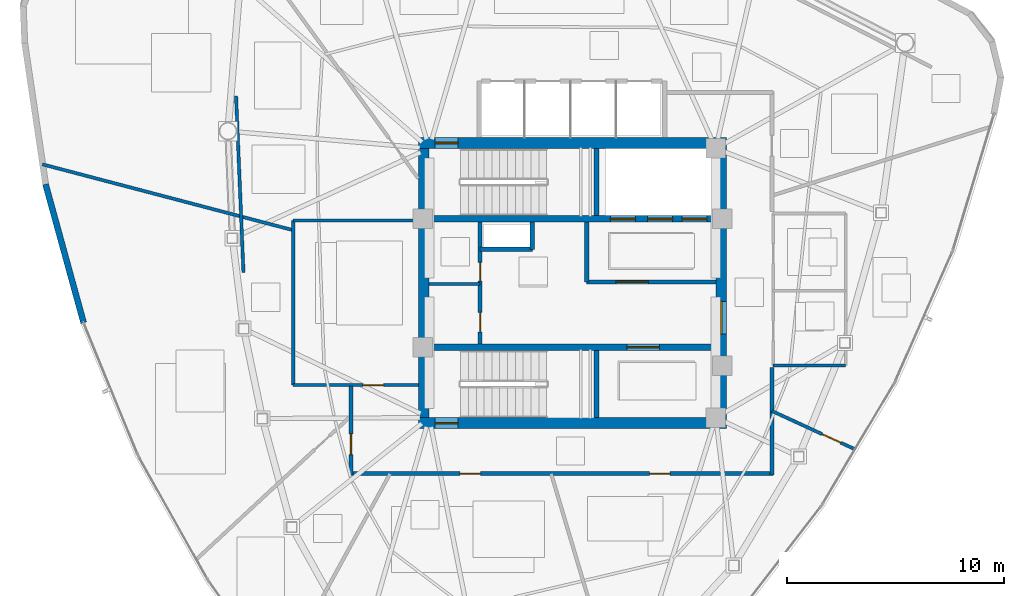
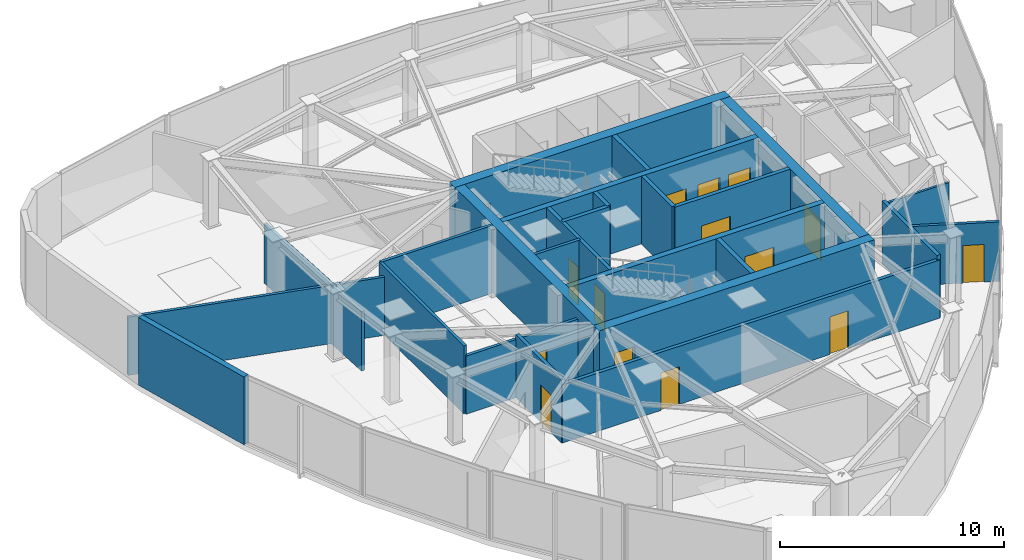
# One storey, part 8 of 12: 25 walls, 15 doors, 15 openings.
"""IFC4 building model written with IfcOpenShell, lengths in metres."""

from ifc_helpers import new_model, si_unit, direction, frame, frame_2d, origin, place, context, subcontext, project, spatial, rectangle, extrude, material, layer, layer_set, type_object, element, fill, save


model = new_model("IFC4")

# Units and contexts
model_context = context("Model", 3, precision=1e-05, world=origin(), true_north=direction((0.0, 1.0)))
body_context = subcontext(model_context, "Body", "Model", "MODEL_VIEW")
ifc_project = project(units=[si_unit("LENGTHUNIT", "METRE"), si_unit("AREAUNIT", "SQUARE_METRE"), si_unit("VOLUMEUNIT", "CUBIC_METRE"), si_unit("PLANEANGLEUNIT", "RADIAN"), si_unit("MASSUNIT", "GRAM", prefix="KILO")], contexts=[model_context])

# Site, building, storey
site_placement = place(None, origin())
site = spatial("IfcSite", under=ifc_project, at=site_placement, CompositionType="ELEMENT")
building_placement = place(site_placement, origin())
building = spatial("IfcBuilding", under=site, at=building_placement, Name="Tavelor Broadcast Tower", CompositionType="ELEMENT")
storey_placement = place(building_placement, frame((0.0, 0.0, 277.5)))
storey = spatial("IfcBuildingStorey", under=building, at=storey_placement, Name="L66", CompositionType="ELEMENT", Elevation=277.5)

# Wall, opening, door
ifc_material_1 = material(Name="Concrete C50/60", Category="concrete")
ifc_layer_1 = layer(ifc_material_1, 0.5)
ifc_layer_set_1 = layer_set([ifc_layer_1], Name="Concrete C50/60")
wall_type_1 = type_object("IfcWallType", Name="Core Shear Wall 500 mm", PredefinedType="SHEAR", material=ifc_layer_set_1)
wall_1_placement = place(storey_placement, frame((42.89990234375, 51.449951171875, 0.0), z_axis=(0.0, 0.0, 1.0), x_axis=(1.0, 0.0, 0.0)))
wall_1 = element("IfcWall", 1, at=wall_1_placement, inside=storey, type_object=wall_type_1, Name="L66 Central Core Shear Wall N", PredefinedType="SHEAR", context=body_context, shape_type="SweptSolid", body=[
    extrude(rectangle(XDim=14.2001953125, YDim=0.5, at=frame_2d((7.10009765625, 0.0))), origin(), (0.0, 0.0, 1.0), 3.699951171875),
])
opening_1_placement = place(wall_1_placement, frame((0.780029296875, 0.0, 0.0)))
opening_1 = element("IfcOpeningElement", 2, at=opening_1_placement, cuts=wall_1, Name="Opening DR11", PredefinedType="OPENING", context=body_context, shape_type="SweptSolid", body=[
    extrude(rectangle(XDim=1.050048828125, YDim=2.199951171875, at=frame_2d((0.52490234375, 1.10009765625))), frame((0.0, 0.260009765625, 0.0), z_axis=(0.0, -1.0, 0.0), x_axis=(1.0, 0.0, 0.0)), (0.0, 0.0, 1.0), 0.52001953125),
])
ifc_material_2 = material(Name="Steel S355", Category="steel")
door_type_1 = type_object("IfcDoorType", Name="Stair Core Fire Escape Door 1050x2200", OperationType="NOTDEFINED", PredefinedType="DOOR", material=ifc_material_2)
door_1_placement = place(opening_1_placement, origin())
door_1 = element("IfcDoor", 3, at=door_1_placement, inside=storey, type_object=door_type_1, Name="L66 Stair ST1 Protected Exit Door", OperationType="SINGLE_SWING_LEFT", OverallHeight=2.199951171875, OverallWidth=1.050048828125, PredefinedType="DOOR", context=body_context, shape_type="SweptSolid", body=[
    extrude(rectangle(XDim=1.050048828125, YDim=2.199951171875, at=frame_2d((0.52490234375, 1.10009765625))), frame((0.0, 0.02490234375, 0.0), z_axis=(0.0, -1.0, 0.0), x_axis=(1.0, 0.0, 0.0)), (0.0, 0.0, 1.0), 0.050048828125),
])
fill(opening_1, door_1)

wall_2_placement = place(storey_placement, frame((42.89990234375, 38.550048828125, 0.0), z_axis=(0.0, 0.0, 1.0), x_axis=(1.0, 0.0, 0.0)))
wall_2 = element("IfcWall", 4, at=wall_2_placement, inside=storey, type_object=wall_type_1, Name="L66 Central Core Shear Wall S", PredefinedType="SHEAR", context=body_context, shape_type="SweptSolid", body=[
    extrude(rectangle(XDim=14.2001953125, YDim=0.5, at=frame_2d((7.10009765625, 0.0))), origin(), (0.0, 0.0, 1.0), 3.699951171875),
])
opening_2_placement = place(wall_2_placement, frame((0.780029296875, 0.0, 0.0)))
opening_2 = element("IfcOpeningElement", 5, at=opening_2_placement, cuts=wall_2, Name="Opening DR11", PredefinedType="OPENING", context=body_context, shape_type="SweptSolid", body=[
    extrude(rectangle(XDim=1.050048828125, YDim=2.199951171875, at=frame_2d((0.52490234375, 1.10009765625))), frame((0.0, 0.260009765625, 0.0), z_axis=(0.0, -1.0, 0.0), x_axis=(1.0, 0.0, 0.0)), (0.0, 0.0, 1.0), 0.52001953125),
])
door_2_placement = place(opening_2_placement, origin())
door_2 = element("IfcDoor", 6, at=door_2_placement, inside=storey, type_object=door_type_1, Name="L66 Stair ST2 Protected Exit Door", OperationType="SINGLE_SWING_RIGHT", OverallHeight=2.199951171875, OverallWidth=1.050048828125, PredefinedType="DOOR", context=body_context, shape_type="SweptSolid", body=[
    extrude(rectangle(XDim=1.050048828125, YDim=2.199951171875, at=frame_2d((0.52490234375, 1.10009765625))), frame((0.0, 0.02490234375, 0.0), z_axis=(0.0, -1.0, 0.0), x_axis=(1.0, 0.0, 0.0)), (0.0, 0.0, 1.0), 0.050048828125),
])
fill(opening_2, door_2)

# Wall
wall_3_placement = place(storey_placement, frame((43.14990234375, 38.800048828125, 0.0), z_axis=(0.0, 0.0, 1.0), x_axis=(0.0, 1.0, 0.0)))
element("IfcWall", 7, at=wall_3_placement, inside=storey, type_object=wall_type_1, Name="L66 Central Core Shear Wall W", PredefinedType="SHEAR", context=body_context, shape_type="SweptSolid", body=[
    extrude(rectangle(XDim=12.39990234375, YDim=0.5, at=frame_2d((6.199951171875, 0.0))), origin(), (0.0, 0.0, 1.0), 3.699951171875),
])

# Wall, opening, door
wall_4_placement = place(storey_placement, frame((56.85009765625, 38.800048828125, 0.0), z_axis=(0.0, 0.0, 1.0), x_axis=(0.0, 1.0, 0.0)))
wall_4 = element("IfcWall", 8, at=wall_4_placement, inside=storey, type_object=wall_type_1, Name="L66 Central Core Shear Wall E", PredefinedType="SHEAR", context=body_context, shape_type="SweptSolid", body=[
    extrude(rectangle(XDim=12.39990234375, YDim=0.5, at=frame_2d((6.199951171875, 0.0))), origin(), (0.0, 0.0, 1.0), 3.699951171875),
])
opening_3_placement = place(wall_4_placement, frame((3.85009765625, 0.0, 0.0)))
opening_3 = element("IfcOpeningElement", 9, at=opening_3_placement, cuts=wall_4, Name="Opening DR14", PredefinedType="OPENING", context=body_context, shape_type="SweptSolid", body=[
    extrude(rectangle(XDim=1.5, YDim=2.199951171875, at=frame_2d((0.75, 1.10009765625))), frame((0.0, 0.260009765625, 0.0), z_axis=(0.0, -1.0, 0.0), x_axis=(1.0, 0.0, 0.0)), (0.0, 0.0, 1.0), 0.52001953125),
])
door_type_2 = type_object("IfcDoorType", Name="Firefighting Lobby Double Fire Door 1500x2200", OperationType="NOTDEFINED", PredefinedType="DOOR", material=ifc_material_2)
door_3_placement = place(opening_3_placement, origin())
door_3 = element("IfcDoor", 10, at=door_3_placement, inside=storey, type_object=door_type_2, Name="L66 Central Core Lobby Fire Door", OperationType="SINGLE_SWING_RIGHT", OverallHeight=2.199951171875, OverallWidth=1.5, PredefinedType="DOOR", context=body_context, shape_type="SweptSolid", body=[
    extrude(rectangle(XDim=1.5, YDim=2.199951171875, at=frame_2d((0.75, 1.10009765625))), frame((0.0, 0.02490234375, 0.0), z_axis=(0.0, -1.0, 0.0), x_axis=(1.0, 0.0, 0.0)), (0.0, 0.0, 1.0), 0.050048828125),
])
fill(opening_3, door_3)

# Wall, openings, doors
ifc_layer_2 = layer(ifc_material_1, 0.300048828125)
ifc_layer_set_2 = layer_set([ifc_layer_2], Name="Concrete C50/60")
wall_type_2 = type_object("IfcWallType", Name="Core Spine Shear Wall 300 mm C50", PredefinedType="SHEAR", material=ifc_layer_set_2)
wall_5_placement = place(storey_placement, frame((43.39990234375, 47.949951171875, 0.0), z_axis=(0.0, 0.0, 1.0), x_axis=(1.0, 0.0, 0.0)))
wall_5 = element("IfcWall", 11, at=wall_5_placement, inside=storey, type_object=wall_type_2, Name="L66 Central Core Shear Wall SP1", PredefinedType="SHEAR", context=body_context, shape_type="SweptSolid", body=[
    extrude(rectangle(XDim=13.2001953125, YDim=0.300048828125, at=frame_2d((6.60009765625, 0.0))), origin(), (0.0, 0.0, 1.0), 3.699951171875),
])
opening_4_placement = place(wall_5_placement, frame((8.344970703125, 0.0, 0.0)))
opening_4 = element("IfcOpeningElement", 12, at=opening_4_placement, cuts=wall_5, Name="Opening LD02", PredefinedType="OPENING", context=body_context, shape_type="SweptSolid", body=[
    extrude(rectangle(XDim=1.14990234375, YDim=2.199951171875, at=frame_2d((0.574951171875, 1.10009765625))), frame((0.0, 0.16015625, 0.0), z_axis=(0.0, -1.0, 0.0), x_axis=(1.0, 0.0, 0.0)), (0.0, 0.0, 1.0), 0.320068359375),
])
opening_5_placement = place(wall_5_placement, frame((10.06494140625, 0.0, 0.0)))
opening_5 = element("IfcOpeningElement", 13, at=opening_5_placement, cuts=wall_5, Name="Opening LD02", PredefinedType="OPENING", context=body_context, shape_type="SweptSolid", body=[
    extrude(rectangle(XDim=1.14990234375, YDim=2.199951171875, at=frame_2d((0.574951171875, 1.10009765625))), frame((0.0, 0.16015625, 0.0), z_axis=(0.0, -1.0, 0.0), x_axis=(1.0, 0.0, 0.0)), (0.0, 0.0, 1.0), 0.320068359375),
])
opening_6_placement = place(wall_5_placement, frame((11.64501953125, 0.0, 0.0)))
opening_6 = element("IfcOpeningElement", 14, at=opening_6_placement, cuts=wall_5, Name="Opening LD03", PredefinedType="OPENING", context=body_context, shape_type="SweptSolid", body=[
    extrude(rectangle(XDim=1.14990234375, YDim=2.199951171875, at=frame_2d((0.574951171875, 1.10009765625))), frame((0.0, 0.16015625, 0.0), z_axis=(0.0, -1.0, 0.0), x_axis=(1.0, 0.0, 0.0)), (0.0, 0.0, 1.0), 0.320068359375),
])
ifc_material_3 = material(Name="Reinforced Brushed Stainless Steel", Category="concrete")
door_type_3 = type_object("IfcDoorType", Name="Broadcast Goods Lift Sliding Landing Door 1250x2200", OperationType="NOTDEFINED", PredefinedType="DOOR", material=ifc_material_3)
door_4_placement = place(opening_6_placement, origin())
door_4 = element("IfcDoor", 15, at=door_4_placement, inside=storey, type_object=door_type_3, Name="L66 Lift SVL1 Sliding Landing Door", OperationType="SLIDING_TO_LEFT", OverallHeight=2.199951171875, OverallWidth=1.14990234375, PredefinedType="DOOR", context=body_context, shape_type="SweptSolid", body=[
    extrude(rectangle(XDim=1.14990234375, YDim=2.199951171875, at=frame_2d((0.574951171875, 1.10009765625))), frame((0.0, 0.02490234375, 0.0), z_axis=(0.0, -1.0, 0.0), x_axis=(1.0, 0.0, 0.0)), (0.0, 0.0, 1.0), 0.050048828125),
])
fill(opening_6, door_4)
ifc_material_4 = material(Name="Fire-Rated Stainless Steel", Category="steel")
door_type_4 = type_object("IfcDoorType", Name="Firefighting Lift Sliding Landing Door 1200x2200", OperationType="NOTDEFINED", PredefinedType="DOOR", material=ifc_material_4)
door_5_placement = place(opening_4_placement, origin())
door_5 = element("IfcDoor", 16, at=door_5_placement, inside=storey, type_object=door_type_4, Name="L66 Lift FFL1 Sliding Landing Door", OperationType="SLIDING_TO_LEFT", OverallHeight=2.199951171875, OverallWidth=1.14990234375, PredefinedType="DOOR", context=body_context, shape_type="SweptSolid", body=[
    extrude(rectangle(XDim=1.14990234375, YDim=2.199951171875, at=frame_2d((0.574951171875, 1.10009765625))), frame((0.0, 0.02490234375, 0.0), z_axis=(0.0, -1.0, 0.0), x_axis=(1.0, 0.0, 0.0)), (0.0, 0.0, 1.0), 0.050048828125),
])
fill(opening_4, door_5)
door_6_placement = place(opening_5_placement, origin())
door_6 = element("IfcDoor", 17, at=door_6_placement, inside=storey, type_object=door_type_4, Name="L66 Lift FFL2 Sliding Landing Door", OperationType="SLIDING_TO_LEFT", OverallHeight=2.199951171875, OverallWidth=1.14990234375, PredefinedType="DOOR", context=body_context, shape_type="SweptSolid", body=[
    extrude(rectangle(XDim=1.14990234375, YDim=2.199951171875, at=frame_2d((0.574951171875, 1.10009765625))), frame((0.0, 0.02490234375, 0.0), z_axis=(0.0, -1.0, 0.0), x_axis=(1.0, 0.0, 0.0)), (0.0, 0.0, 1.0), 0.050048828125),
])
fill(opening_5, door_6)

# Wall, opening, door
wall_6_placement = place(storey_placement, frame((43.39990234375, 42.050048828125, 0.0), z_axis=(0.0, 0.0, 1.0), x_axis=(1.0, 0.0, 0.0)))
wall_6 = element("IfcWall", 18, at=wall_6_placement, inside=storey, type_object=wall_type_2, Name="L66 Central Core Shear Wall SP2", PredefinedType="SHEAR", context=body_context, shape_type="SweptSolid", body=[
    extrude(rectangle(XDim=13.2001953125, YDim=0.300048828125, at=frame_2d((6.60009765625, 0.0))), origin(), (0.0, 0.0, 1.0), 3.699951171875),
])
opening_7_placement = place(wall_6_placement, frame((9.10009765625, 0.0, 0.0)))
opening_7 = element("IfcOpeningElement", 19, at=opening_7_placement, cuts=wall_6, Name="Opening DR14", PredefinedType="OPENING", context=body_context, shape_type="SweptSolid", body=[
    extrude(rectangle(XDim=1.5, YDim=2.199951171875, at=frame_2d((0.75, 1.10009765625))), frame((0.0, 0.16015625, 0.0), z_axis=(0.0, -1.0, 0.0), x_axis=(1.0, 0.0, 0.0)), (0.0, 0.0, 1.0), 0.320068359375),
])
door_7_placement = place(opening_7_placement, origin())
door_7 = element("IfcDoor", 20, at=door_7_placement, inside=storey, type_object=door_type_2, Name="L66 Reclaimed South Core Vestibule Door", OperationType="SINGLE_SWING_RIGHT", OverallHeight=2.199951171875, OverallWidth=1.5, PredefinedType="DOOR", context=body_context, shape_type="SweptSolid", body=[
    extrude(rectangle(XDim=1.5, YDim=2.199951171875, at=frame_2d((0.75, 1.10009765625))), frame((0.0, 0.02490234375, 0.0), z_axis=(0.0, -1.0, 0.0), x_axis=(1.0, 0.0, 0.0)), (0.0, 0.0, 1.0), 0.050048828125),
])
fill(opening_7, door_7)

# Wall, openings, doors
ifc_material_5 = material(Name="Calcium Silicate Fire Board 180 mm", Category="gypsum")
ifc_layer_3 = layer(ifc_material_5, 0.179931640625)
ifc_layer_set_3 = layer_set([ifc_layer_3], Name="Calcium Silicate Fire Board 180 mm")
wall_type_3 = type_object("IfcWallType", Name="Fire-Rated Corridor Partition Wall 180 mm", PredefinedType="PARTITIONING", material=ifc_layer_set_3)
wall_7_placement = place(storey_placement, frame((45.75, 42.199951171875, 0.0), z_axis=(0.0, 0.0, 1.0), x_axis=(0.0, 1.0, 0.0)))
wall_7 = element("IfcWall", 21, at=wall_7_placement, inside=storey, type_object=wall_type_3, Name="L66 Core West Service East Wall", PredefinedType="PARTITIONING", context=body_context, shape_type="SweptSolid", body=[
    extrude(rectangle(XDim=5.60009765625, YDim=0.179931640625, at=frame_2d((2.800048828125, 0.0))), origin(), (0.0, 0.0, 1.0), 3.699951171875),
])
opening_8_placement = place(wall_7_placement, frame((0.550048828125, 0.0, 0.0)))
opening_8 = element("IfcOpeningElement", 22, at=opening_8_placement, cuts=wall_7, Name="Opening DR32", PredefinedType="OPENING", context=body_context, shape_type="SweptSolid", body=[
    extrude(rectangle(XDim=0.89990234375, YDim=2.050048828125, at=frame_2d((0.449951171875, 1.02490234375))), frame((0.0, 0.10009765625, 0.0), z_axis=(0.0, -1.0, 0.0), x_axis=(1.0, 0.0, 0.0)), (0.0, 0.0, 1.0), 0.199951171875),
])
opening_9_placement = place(wall_7_placement, frame((2.89990234375, 0.0, 0.0)))
opening_9 = element("IfcOpeningElement", 23, at=opening_9_placement, cuts=wall_7, Name="Opening DR36", PredefinedType="OPENING", context=body_context, shape_type="SweptSolid", body=[
    extrude(rectangle(XDim=0.85009765625, YDim=2.050048828125, at=frame_2d((0.425048828125, 1.02490234375))), frame((0.0, 0.10009765625, 0.0), z_axis=(0.0, -1.0, 0.0), x_axis=(1.0, 0.0, 0.0)), (0.0, 0.0, 1.0), 0.199951171875),
])
ifc_material_6 = material(Name="Timber Solid Core Hardwood", Category="wood")
door_type_5 = type_object("IfcDoorType", Name="Accessible Washroom Door 900x2050", OperationType="NOTDEFINED", PredefinedType="DOOR", material=ifc_material_6)
door_8_placement = place(opening_8_placement, origin())
door_8 = element("IfcDoor", 24, at=door_8_placement, inside=storey, type_object=door_type_5, Name="L66 Core Accessible WC Door", OperationType="SINGLE_SWING_LEFT", OverallHeight=2.050048828125, OverallWidth=0.89990234375, PredefinedType="DOOR", context=body_context, shape_type="SweptSolid", body=[
    extrude(rectangle(XDim=0.89990234375, YDim=2.050048828125, at=frame_2d((0.449951171875, 1.02490234375))), frame((0.0, 0.02490234375, 0.0), z_axis=(0.0, -1.0, 0.0), x_axis=(1.0, 0.0, 0.0)), (0.0, 0.0, 1.0), 0.050048828125),
])
fill(opening_8, door_8)
door_type_6 = type_object("IfcDoorType", Name="Service Room Fire Door 850x2050", OperationType="NOTDEFINED", PredefinedType="DOOR", material=ifc_material_2)
door_9_placement = place(opening_9_placement, origin())
door_9 = element("IfcDoor", 25, at=door_9_placement, inside=storey, type_object=door_type_6, Name="L66 Core Cleaner Store Door", OperationType="SINGLE_SWING_RIGHT", OverallHeight=2.050048828125, OverallWidth=0.85009765625, PredefinedType="DOOR", context=body_context, shape_type="SweptSolid", body=[
    extrude(rectangle(XDim=0.85009765625, YDim=2.050048828125, at=frame_2d((0.425048828125, 1.02490234375))), frame((0.0, 0.02490234375, 0.0), z_axis=(0.0, -1.0, 0.0), x_axis=(1.0, 0.0, 0.0)), (0.0, 0.0, 1.0), 0.050048828125),
])
fill(opening_9, door_9)

# Wall
wall_8_placement = place(storey_placement, frame((59.179931640625, 41.10009765625, 0.0), z_axis=(0.0, 0.0, 1.0), x_axis=(0.0, -1.0, 0.0)))
element("IfcWall", 26, at=wall_8_placement, inside=storey, type_object=wall_type_3, Name="L66 Corridor Compartment Wall 03", PredefinedType="PARTITIONING", context=body_context, shape_type="SweptSolid", body=[
    extrude(rectangle(XDim=4.93017578125, YDim=0.179931640625, at=frame_2d((2.465087890625, 0.0))), origin(), (0.0, 0.0, 1.0), 3.43505859375),
])

# Wall, openings, doors
wall_9_placement = place(storey_placement, frame((59.22998046875, 36.219970703125, 0.0), z_axis=(0.0, 0.0, 1.0), x_axis=(-1.0, 0.0, 0.0)))
wall_9 = element("IfcWall", 27, at=wall_9_placement, inside=storey, type_object=wall_type_3, Name="L66 Corridor Compartment Wall 04", PredefinedType="PARTITIONING", context=body_context, shape_type="SweptSolid", body=[
    extrude(rectangle(XDim=19.47998046875, YDim=0.179931640625, at=frame_2d((9.739990234375, 0.0))), origin(), (0.0, 0.0, 1.0), 3.175048828125),
])
opening_10_placement = place(wall_9_placement, frame((4.73095703125, 0.0, 0.0)))
opening_10 = element("IfcOpeningElement", 28, at=opening_10_placement, cuts=wall_9, Name="Opening DR18", PredefinedType="OPENING", context=body_context, shape_type="SweptSolid", body=[
    extrude(rectangle(XDim=0.949951171875, YDim=2.050048828125, at=frame_2d((0.47509765625, 1.02490234375))), frame((0.0, 0.10009765625, 0.0), z_axis=(0.0, -1.0, 0.0), x_axis=(1.0, 0.0, 0.0)), (0.0, 0.0, 1.0), 0.199951171875),
])
opening_11_placement = place(wall_9_placement, frame((13.45751953125, 0.0, 0.0)))
opening_11 = element("IfcOpeningElement", 29, at=opening_11_placement, cuts=wall_9, Name="Opening DR18", PredefinedType="OPENING", context=body_context, shape_type="SweptSolid", body=[
    extrude(rectangle(XDim=0.949951171875, YDim=2.050048828125, at=frame_2d((0.47509765625, 1.02490234375))), frame((0.0, 0.10009765625, 0.0), z_axis=(0.0, -1.0, 0.0), x_axis=(1.0, 0.0, 0.0)), (0.0, 0.0, 1.0), 0.199951171875),
])
door_type_7 = type_object("IfcDoorType", Name="Corridor Rated Compartment Door 950x2050", OperationType="NOTDEFINED", PredefinedType="DOOR", material=ifc_material_6)
door_10_placement = place(opening_10_placement, origin())
door_10 = element("IfcDoor", 30, at=door_10_placement, inside=storey, type_object=door_type_7, Name="L66 Media Content Workshop Door R1", OperationType="SINGLE_SWING_LEFT", OverallHeight=2.050048828125, OverallWidth=0.949951171875, PredefinedType="DOOR", context=body_context, shape_type="SweptSolid", body=[
    extrude(rectangle(XDim=0.949951171875, YDim=2.050048828125, at=frame_2d((0.47509765625, 1.02490234375))), frame((0.0, 0.02490234375, 0.0), z_axis=(0.0, -1.0, 0.0), x_axis=(1.0, 0.0, 0.0)), (0.0, 0.0, 1.0), 0.050048828125),
])
fill(opening_10, door_10)
door_11_placement = place(opening_11_placement, origin())
door_11 = element("IfcDoor", 31, at=door_11_placement, inside=storey, type_object=door_type_7, Name="L66 Broadcast Crew Room Door R7", OperationType="SINGLE_SWING_RIGHT", OverallHeight=2.050048828125, OverallWidth=0.949951171875, PredefinedType="DOOR", context=body_context, shape_type="SweptSolid", body=[
    extrude(rectangle(XDim=0.949951171875, YDim=2.050048828125, at=frame_2d((0.47509765625, 1.02490234375))), frame((0.0, 0.02490234375, 0.0), z_axis=(0.0, -1.0, 0.0), x_axis=(1.0, 0.0, 0.0)), (0.0, 0.0, 1.0), 0.050048828125),
])
fill(opening_11, door_11)

# Wall, opening, door
wall_10_placement = place(storey_placement, frame((39.800048828125, 36.169921875, 0.0), z_axis=(0.0, 0.0, 1.0), x_axis=(0.0, 1.0, 0.0)))
wall_10 = element("IfcWall", 32, at=wall_10_placement, inside=storey, type_object=wall_type_3, Name="L66 Corridor Compartment Wall 05", PredefinedType="PARTITIONING", context=body_context, shape_type="SweptSolid", body=[
    extrude(rectangle(XDim=4.080078125, YDim=0.179931640625, at=frame_2d((2.0400390625, 0.0))), origin(), (0.0, 0.0, 1.0), 3.43505859375),
])
opening_12_placement = place(wall_10_placement, frame((0.930908203125, 0.0, 0.0)))
opening_12 = element("IfcOpeningElement", 33, at=opening_12_placement, cuts=wall_10, Name="Opening DR18", PredefinedType="OPENING", context=body_context, shape_type="SweptSolid", body=[
    extrude(rectangle(XDim=0.949951171875, YDim=2.050048828125, at=frame_2d((0.47509765625, 1.02490234375))), frame((0.0, 0.10009765625, 0.0), z_axis=(0.0, -1.0, 0.0), x_axis=(1.0, 0.0, 0.0)), (0.0, 0.0, 1.0), 0.199951171875),
])
door_12_placement = place(opening_12_placement, origin())
door_12 = element("IfcDoor", 34, at=door_12_placement, inside=storey, type_object=door_type_7, Name="L66 Quiet Listening Room Door R3", OperationType="SINGLE_SWING_LEFT", OverallHeight=2.050048828125, OverallWidth=0.949951171875, PredefinedType="DOOR", context=body_context, shape_type="SweptSolid", body=[
    extrude(rectangle(XDim=0.949951171875, YDim=2.050048828125, at=frame_2d((0.47509765625, 1.02490234375))), frame((0.0, 0.02490234375, 0.0), z_axis=(0.0, -1.0, 0.0), x_axis=(1.0, 0.0, 0.0)), (0.0, 0.0, 1.0), 0.050048828125),
])
fill(opening_12, door_12)

# Walls
ifc_material_7 = material(Name="Precast Concrete C40/50", Category="concrete")
ifc_layer_4 = layer(ifc_material_7, 0.280029296875)
ifc_layer_set_4 = layer_set([ifc_layer_4], Name="Precast Concrete C40/50")
wall_type_4 = type_object("IfcWallType", Name="Insulated Precast Terracotta Facade Wall 280 mm", PredefinedType="STANDARD", material=ifc_layer_set_4)
wall_11_placement = place(storey_placement, frame((25.731689453125, 49.54931640625, 0.0), z_axis=(0.0, 0.0, 1.0), x_axis=(0.265108464752, -0.964218596542, 0.0)))
element("IfcWall", 35, at=wall_11_placement, inside=storey, type_object=wall_type_4, Name="L66 Rounded Corner Structural Cladding Pier 06", PredefinedType="STANDARD", context=body_context, shape_type="SweptSolid", body=[
    extrude(rectangle(XDim=6.61767578125, YDim=0.280029296875, at=frame_2d((3.308837890625, 0.0))), origin(), (0.0, 0.0, 1.0), 3.699951171875),
])
ifc_material_8 = material(Name="Gypsum Acoustic Plasterboard 150 mm", Category="gypsum")
ifc_layer_5 = layer(ifc_material_8, 0.14990234375)
ifc_layer_set_5 = layer_set([ifc_layer_5], Name="Gypsum Acoustic Plasterboard 150 mm")
wall_type_5 = type_object("IfcWallType", Name="Interior Acoustic Partition Wall 150 mm", PredefinedType="PARTITIONING", material=ifc_layer_set_5)
wall_12_placement = place(storey_placement, frame((43.39990234375, 44.949951171875, 0.0), z_axis=(0.0, 0.0, 1.0), x_axis=(1.0, 0.0, 0.0)))
element("IfcWall", 36, at=wall_12_placement, inside=storey, type_object=wall_type_5, Name="L66 Core Split Wall A", PredefinedType="PARTITIONING", context=body_context, shape_type="SweptSolid", body=[
    extrude(rectangle(XDim=2.35009765625, YDim=0.14990234375, at=frame_2d((1.175048828125, 0.0))), origin(), (0.0, 0.0, 1.0), 3.699951171875),
])
wall_13_placement = place(storey_placement, frame((34.50732421875, 53.61279296875, 0.0), z_axis=(0.0, 0.0, 1.0), x_axis=(0.041875090182, -0.999122853718, 0.0)))
element("IfcWall", 37, at=wall_13_placement, inside=storey, type_object=wall_type_5, Name="L66 Corner Tube Brace Furring Wall 1", PredefinedType="PARTITIONING", context=body_context, shape_type="SweptSolid", body=[
    extrude(rectangle(XDim=8.138916015625, YDim=0.14990234375, at=frame_2d((4.0693359375, 0.0))), origin(), (0.0, 0.0, 1.0), 3.235107421875),
])

# Wall, opening, door
wall_14_placement = place(storey_placement, frame((37.139892578125, 40.300048828125, 0.0), z_axis=(0.0, 0.0, 1.0), x_axis=(1.0, 0.0, 0.0)))
wall_14 = element("IfcWall", 38, at=wall_14_placement, inside=storey, type_object=wall_type_5, Name="L66 Reclaimed Shaft Pantry South Wall", PredefinedType="PARTITIONING", context=body_context, shape_type="SweptSolid", body=[
    extrude(rectangle(XDim=5.760009765625, YDim=0.14990234375, at=frame_2d((2.8798828125, 0.0))), origin(), (0.0, 0.0, 1.0), 3.175048828125),
])
opening_13_placement = place(wall_14_placement, frame((3.2099609375, 0.0, 0.0)))
opening_13 = element("IfcOpeningElement", 39, at=opening_13_placement, cuts=wall_14, Name="Opening DR18", PredefinedType="OPENING", context=body_context, shape_type="SweptSolid", body=[
    extrude(rectangle(XDim=0.949951171875, YDim=2.050048828125, at=frame_2d((0.47509765625, 1.02490234375))), frame((0.0, 0.0849609375, 0.0), z_axis=(0.0, -1.0, 0.0), x_axis=(1.0, 0.0, 0.0)), (0.0, 0.0, 1.0), 0.169921875),
])
door_13_placement = place(opening_13_placement, origin())
door_13 = element("IfcDoor", 40, at=door_13_placement, inside=storey, type_object=door_type_7, Name="L66 Broadcast IT Patch and Pantry Door", OperationType="SINGLE_SWING_LEFT", OverallHeight=2.050048828125, OverallWidth=0.949951171875, PredefinedType="DOOR", context=body_context, shape_type="SweptSolid", body=[
    extrude(rectangle(XDim=0.949951171875, YDim=2.050048828125, at=frame_2d((0.47509765625, 1.02490234375))), frame((0.0, 0.02490234375, 0.0), z_axis=(0.0, -1.0, 0.0), x_axis=(1.0, 0.0, 0.0)), (0.0, 0.0, 1.0), 0.050048828125),
])
fill(opening_13, door_13)

# Walls
wall_15_placement = place(storey_placement, frame((37.139892578125, 40.300048828125, 0.0), z_axis=(0.0, 0.0, 1.0), x_axis=(0.0, 1.0, 0.0)))
element("IfcWall", 41, at=wall_15_placement, inside=storey, type_object=wall_type_5, Name="L66 Reclaimed Shaft Pantry West Wall", PredefinedType="PARTITIONING", context=body_context, shape_type="SweptSolid", body=[
    extrude(rectangle(XDim=7.579833984375, YDim=0.14990234375, at=frame_2d((3.7900390625, 0.0))), origin(), (0.0, 0.0, 1.0), 3.699951171875),
])
wall_16_placement = place(storey_placement, frame((37.139892578125, 47.8798828125, 0.0), z_axis=(0.0, 0.0, 1.0), x_axis=(1.0, 0.0, 0.0)))
element("IfcWall", 42, at=wall_16_placement, inside=storey, type_object=wall_type_5, Name="L66 Reclaimed Shaft Pantry North Wall", PredefinedType="PARTITIONING", context=body_context, shape_type="SweptSolid", body=[
    extrude(rectangle(XDim=5.760009765625, YDim=0.14990234375, at=frame_2d((2.8798828125, 0.0))), origin(), (0.0, 0.0, 1.0), 3.699951171875),
])
wall_17_placement = place(storey_placement, frame((37.080078125, 47.447998046875, 0.0), z_axis=(0.0, 0.0, 1.0), x_axis=(-0.967190208987, 0.254053340148, 0.0)))
element("IfcWall", 43, at=wall_17_placement, inside=storey, type_object=wall_type_5, Name="L66 Radial Compartment Wall 02", PredefinedType="PARTITIONING", context=body_context, shape_type="SweptSolid", body=[
    extrude(rectangle(XDim=11.882568359375, YDim=0.14990234375, at=frame_2d((5.94140625, 0.0))), origin(), (0.0, 0.0, 1.0), 3.175048828125),
])

# Wall, opening, door
wall_18_placement = place(storey_placement, frame((59.179931640625, 39.10986328125, 0.0), z_axis=(0.0, 0.0, 1.0), x_axis=(0.908177220168, -0.418585877411, 0.0)))
wall_18 = element("IfcWall", 44, at=wall_18_placement, inside=storey, type_object=wall_type_5, Name="L66 Radial Compartment Wall 06", PredefinedType="PARTITIONING", context=body_context, shape_type="SweptSolid", body=[
    extrude(rectangle(XDim=4.229248046875, YDim=0.14990234375, at=frame_2d((2.11474609375, 0.0))), origin(), (0.0, 0.0, 1.0), 3.235107421875),
])
opening_14_placement = place(wall_18_placement, frame((2.550048828125, 0.0, 0.0)))
opening_14 = element("IfcOpeningElement", 45, at=opening_14_placement, cuts=wall_18, Name="Opening DR18", PredefinedType="OPENING", context=body_context, shape_type="SweptSolid", body=[
    extrude(rectangle(XDim=0.949951171875, YDim=2.050048828125, at=frame_2d((0.47509765625, 1.02490234375))), frame((0.0, 0.0849609375, 0.0), z_axis=(0.0, -1.0, 0.0), x_axis=(1.0, 0.0, 0.0)), (0.0, 0.0, 1.0), 0.169921875),
])
door_14_placement = place(opening_14_placement, origin())
door_14 = element("IfcDoor", 46, at=door_14_placement, inside=storey, type_object=door_type_7, Name="L66 Suite Connecting Door 0", OperationType="SINGLE_SWING_RIGHT", OverallHeight=2.050048828125, OverallWidth=0.949951171875, PredefinedType="DOOR", context=body_context, shape_type="SweptSolid", body=[
    extrude(rectangle(XDim=0.949951171875, YDim=2.050048828125, at=frame_2d((0.47509765625, 1.02490234375))), frame((0.0, 0.02490234375, 0.0), z_axis=(0.0, -1.0, 0.0), x_axis=(1.0, 0.0, 0.0)), (0.0, 0.0, 1.0), 0.050048828125),
])
fill(opening_14, door_14)

# Walls
ifc_material_9 = material(Name="Concrete Blockwork 200 mm", Category="masonry")
ifc_layer_6 = layer(ifc_material_9, 0.199951171875)
ifc_layer_set_6 = layer_set([ifc_layer_6], Name="Concrete Blockwork 200 mm")
wall_type_6 = type_object("IfcWallType", Name="Lift and Riser Shaft Enclosure Wall 200 mm", PredefinedType="PARTITIONING", material=ifc_layer_set_6)
wall_19_placement = place(storey_placement, frame((45.75, 46.550048828125, 0.0), z_axis=(0.0, 0.0, 1.0), x_axis=(1.0, 0.0, 0.0)))
element("IfcWall", 47, at=wall_19_placement, inside=storey, type_object=wall_type_6, Name="L66 Riser Shaft South Wall", PredefinedType="PARTITIONING", context=body_context, shape_type="SweptSolid", body=[
    extrude(rectangle(XDim=2.39990234375, YDim=0.199951171875, at=frame_2d((1.199951171875, 0.0))), origin(), (0.0, 0.0, 1.0), 3.699951171875),
])
wall_20_placement = place(storey_placement, frame((48.14990234375, 46.550048828125, 0.0), z_axis=(0.0, 0.0, 1.0), x_axis=(0.0, 1.0, 0.0)))
element("IfcWall", 48, at=wall_20_placement, inside=storey, type_object=wall_type_6, Name="L66 Riser Shaft East Wall", PredefinedType="PARTITIONING", context=body_context, shape_type="SweptSolid", body=[
    extrude(rectangle(XDim=1.25, YDim=0.199951171875, at=frame_2d((0.625, 0.0))), origin(), (0.0, 0.0, 1.0), 3.699951171875),
])

# Wall, opening, door
wall_21_placement = place(storey_placement, frame((50.64990234375, 45.050048828125, 0.0), z_axis=(0.0, 0.0, 1.0), x_axis=(1.0, 0.0, 0.0)))
wall_21 = element("IfcWall", 49, at=wall_21_placement, inside=storey, type_object=wall_type_6, Name="L66 Firefighting Lobby South Wall", PredefinedType="PARTITIONING", context=body_context, shape_type="SweptSolid", body=[
    extrude(rectangle(XDim=5.9501953125, YDim=0.199951171875, at=frame_2d((2.97509765625, 0.0))), origin(), (0.0, 0.0, 1.0), 3.699951171875),
])
opening_15_placement = place(wall_21_placement, frame((1.35009765625, 0.0, 0.0)))
opening_15 = element("IfcOpeningElement", 50, at=opening_15_placement, cuts=wall_21, Name="Opening DR14", PredefinedType="OPENING", context=body_context, shape_type="SweptSolid", body=[
    extrude(rectangle(XDim=1.5, YDim=2.199951171875, at=frame_2d((0.75, 1.10009765625))), frame((0.0, 0.10986328125, 0.0), z_axis=(0.0, -1.0, 0.0), x_axis=(1.0, 0.0, 0.0)), (0.0, 0.0, 1.0), 0.219970703125),
])
door_15_placement = place(opening_15_placement, origin())
door_15 = element("IfcDoor", 51, at=door_15_placement, inside=storey, type_object=door_type_2, Name="L66 Firefighting Lobby Compartment Door", OperationType="SINGLE_SWING_LEFT", OverallHeight=2.199951171875, OverallWidth=1.5, PredefinedType="DOOR", context=body_context, shape_type="SweptSolid", body=[
    extrude(rectangle(XDim=1.5, YDim=2.199951171875, at=frame_2d((0.75, 1.10009765625))), frame((0.0, 0.02490234375, 0.0), z_axis=(0.0, -1.0, 0.0), x_axis=(1.0, 0.0, 0.0)), (0.0, 0.0, 1.0), 0.050048828125),
])
fill(opening_15, door_15)

# Walls
wall_22_placement = place(storey_placement, frame((50.64990234375, 45.050048828125, 0.0), z_axis=(0.0, 0.0, 1.0), x_axis=(0.0, 1.0, 0.0)))
element("IfcWall", 52, at=wall_22_placement, inside=storey, type_object=wall_type_6, Name="L66 Firefighting Lobby West Wall", PredefinedType="PARTITIONING", context=body_context, shape_type="SweptSolid", body=[
    extrude(rectangle(XDim=2.75, YDim=0.199951171875, at=frame_2d((1.375, 0.0))), origin(), (0.0, 0.0, 1.0), 3.699951171875),
])
ifc_material_10 = material(Name="Moisture-Resistant Plasterboard 120 mm", Category="gypsum")
ifc_layer_7 = layer(ifc_material_10, 0.1201171875)
ifc_layer_set_7 = layer_set([ifc_layer_7], Name="Moisture-Resistant Plasterboard 120 mm")
wall_type_7 = type_object("IfcWallType", Name="Moisture-Resistant Wet-Room Partition 120 mm", PredefinedType="PARTITIONING", material=ifc_layer_set_7)
wall_23_placement = place(storey_placement, frame((59.239990234375, 41.199951171875, 0.0), z_axis=(0.0, 0.0, 1.0), x_axis=(1.0, 0.0, 0.0)))
element("IfcWall", 53, at=wall_23_placement, inside=storey, type_object=wall_type_7, Name="L66 Floor Washrooms South Wall", PredefinedType="PARTITIONING", context=body_context, shape_type="SweptSolid", body=[
    extrude(rectangle(XDim=3.340087890625, YDim=0.1201171875, at=frame_2d((1.669921875, 0.0))), origin(), (0.0, 0.0, 1.0), 3.175048828125),
])
ifc_material_11 = material(Name="Concrete C40/50", Category="concrete")
ifc_layer_8 = layer(ifc_material_11, 0.219970703125)
ifc_layer_set_8 = layer_set([ifc_layer_8], Name="Concrete C40/50")
wall_type_8 = type_object("IfcWallType", Name="Structural Stairwell Shear Wall 220 mm", PredefinedType="SHEAR", material=ifc_layer_set_8)
for number, where, z_axis, x_axis, name in (
    (54, (51.110107421875, 48.10009765625, 0.0), (0.0, 0.0, 1.0), (0.0, 1.0, 0.0), "L66 Stair ST1 Structural Shaft Wall"),
    (55, (51.110107421875, 38.800048828125, 0.0), (0.0, 0.0, 1.0), (0.0, 1.0, 0.0), "L66 Stair ST2 Structural Shaft Wall"),
):
    element("IfcWall", number, at=place(storey_placement, frame(where, z_axis=z_axis, x_axis=x_axis)), inside=storey, type_object=wall_type_8, Name=name, PredefinedType="SHEAR", context=body_context, shape_type="SweptSolid", body=[
        extrude(rectangle(XDim=3.099853515625, YDim=0.219970703125, at=frame_2d((1.5498046875, 0.0))), origin(), (0.0, 0.0, 1.0), 3.699951171875),
    ])

save(model, "model.ifc")
